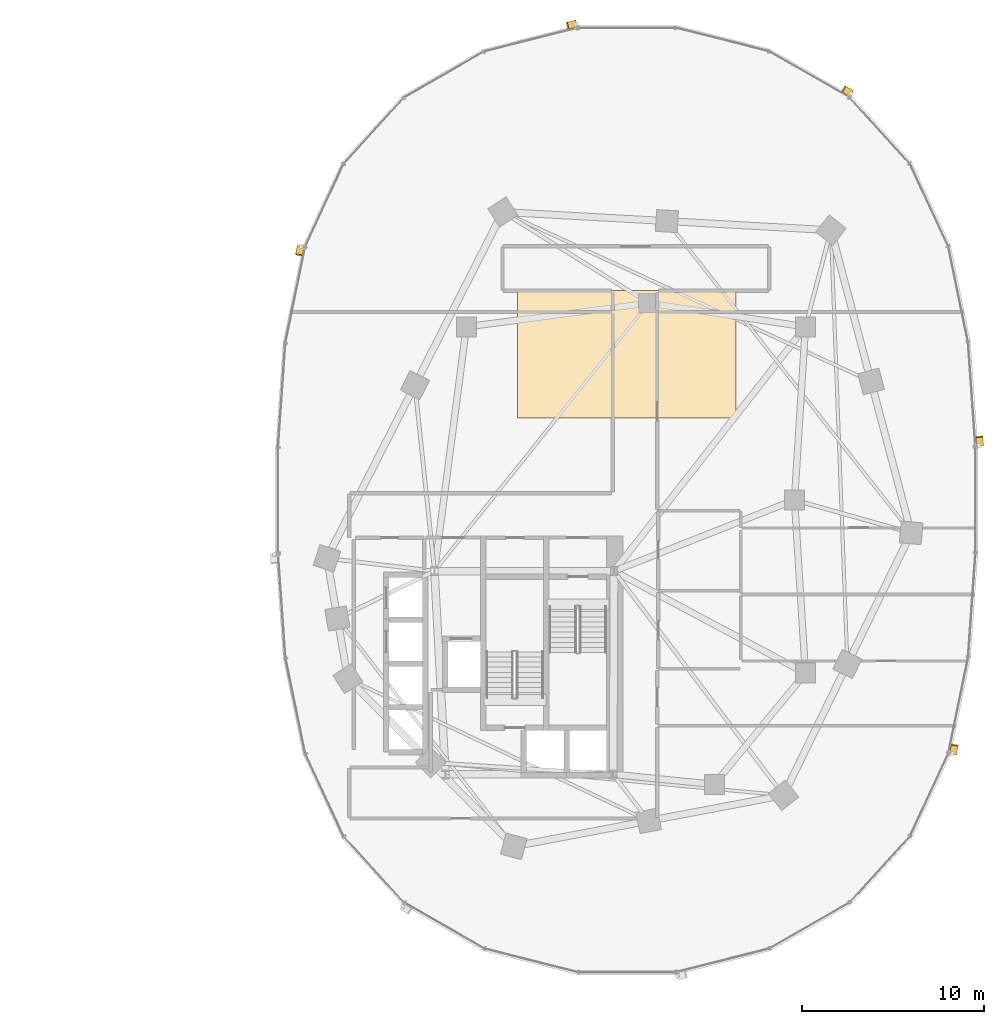
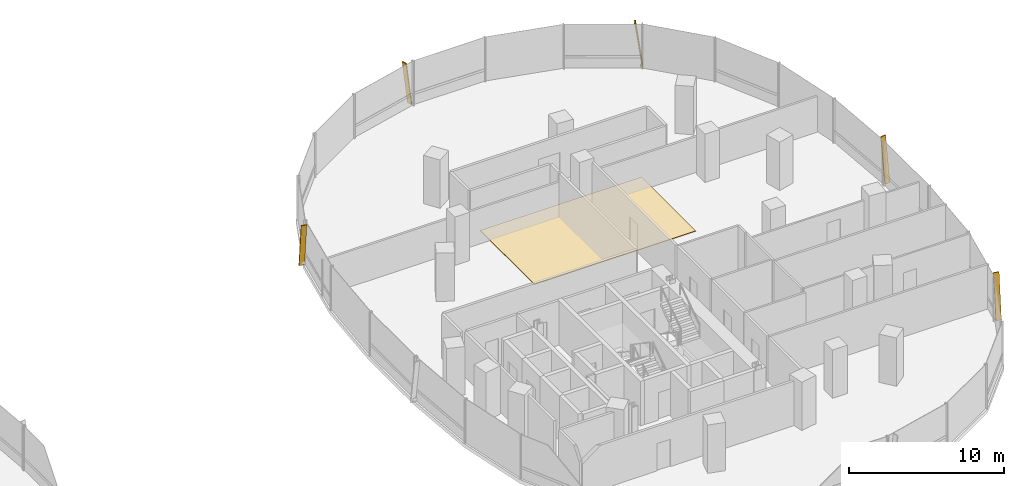
# One storey, part 21 of 21: 5 shading devices, 1 covering.
"""IFC4 building model written with IfcOpenShell, lengths in metres."""

from ifc_helpers import new_model, si_unit, direction, frame, origin, origin_2d, place, context, subcontext, project, spatial, polyline, rectangle, outline, extrude, material, layer, layer_set, material_profile, profile_set, type_object, element, save


model = new_model("IFC4")

# Units and contexts
model_context = context("Model", 3, precision=1e-05, world=origin(), true_north=direction((0.0, 1.0)))
body_context = subcontext(model_context, "Body", "Model", "MODEL_VIEW")
ifc_project = project(units=[si_unit("LENGTHUNIT", "METRE"), si_unit("AREAUNIT", "SQUARE_METRE"), si_unit("VOLUMEUNIT", "CUBIC_METRE"), si_unit("PLANEANGLEUNIT", "RADIAN"), si_unit("MASSUNIT", "GRAM", prefix="KILO"), si_unit("THERMODYNAMICTEMPERATUREUNIT", "KELVIN"), si_unit("POWERUNIT", "WATT")], contexts=[model_context])

# Site, building, storey
site_placement = place(None, origin())
site = spatial("IfcSite", under=ifc_project, at=site_placement, CompositionType="ELEMENT")
building_placement = place(site_placement, origin())
building = spatial("IfcBuilding", under=site, at=building_placement, Name="Cundina Bronze Exchange", CompositionType="ELEMENT")
storey_placement = place(building_placement, frame((0.0, 0.0, 46.800048828125)))
storey = spatial("IfcBuildingStorey", under=building, at=storey_placement, Name="L11", CompositionType="ELEMENT", Elevation=46.800048828125)

# Covering
ifc_material_1 = material(Name="Raised Access Steel-Cementitious Floor Panel 40mm", Category="steel")
ifc_layer = layer(ifc_material_1, 0.0400390625, Name="Raised Access Steel-Cementitious Floor Panel 40mm", Category="steel")
ifc_layer_set = layer_set([ifc_layer], Name="Raised Access Steel-Cementitious Floor Panel 40mm")
covering_type = type_object("IfcCoveringType", Name="COV-FLR-RAF40", PredefinedType="FLOORING", material=ifc_layer_set)
covering_placement = place(storey_placement, origin())
element("IfcCovering", 1, at=covering_placement, inside=storey, type_object=covering_type, Name="L11 E UFAD Raised Access Trading Floor", PredefinedType="FLOORING", context=body_context, shape_type="SweptSolid", body=[
    extrude(outline(polyline([(26.0, 4.5), (38.0, 4.5), (38.0, 11.5), (26.0, 11.5), (26.0, 4.5)])), origin(), (0.0, 0.0, 1.0), 0.0400390625),
])

# Shading devices
ifc_material_2 = material(Name="Anodised Bronze Aluminium 6063-T6", Category="aluminium")
ifc_material_profile = material_profile(ifc_material_2, rectangle(XDim=0.070068359375, YDim=0.3798828125, at=origin_2d()), Name="FIN70X380", Category="aluminium")
ifc_profile_set = profile_set([ifc_material_profile], Name="Anodised Bronze Aluminium 6063-T6")
shading_device_type = type_object("IfcShadingDeviceType", Name="SHD-FIN-BRZ380", PredefinedType="USERDEFINED", material=ifc_profile_set)
for number, where, z_axis, x_axis, name in (
    (2, (51.3740234375, 2.993896484375, 0.02001953125), (-0.009645159174, 0.137059109714, 0.990515911709), (0.06953288269, -0.988072340253, 0.137398066402), "L11 Diagonal Bronze Solar Fin 1"),
    (3, (44.314208984375, 22.314208984375, 0.02001953125), (-0.119166378275, 0.06842456559, 0.990513731915), (0.85898178632, -0.493221799887, 0.137413779831), "L11 Diagonal Bronze Solar Fin 5"),
    (4, (29.212646484375, 26.138427734375, 0.02001953125), (-0.133214830938, -0.033688115694, 0.990514472221), (0.960284642503, 0.242842181368, 0.137408443412), "L11 Diagonal Bronze Solar Fin 1"),
    (5, (14.10400390625, 13.911865234375, 0.02001953125), (-0.027747134956, -0.134612045151, 0.990509815096), (0.199966585563, 0.970114971774, 0.137442010309), "L11 Diagonal Bronze Solar Fin 5"),
    (6, (49.89599609375, -13.911865234375, 0.02001953125), (0.027747134956, 0.134612045151, 0.990509815096), (-0.199966585563, -0.970114971774, 0.137442010309), "L11 Diagonal Bronze Solar Fin 5"),
):
    element("IfcShadingDevice", number, at=place(storey_placement, frame(where, z_axis=z_axis, x_axis=x_axis)), inside=storey, type_object=shading_device_type, Name=name, ObjectType="FIN", PredefinedType="USERDEFINED", context=body_context, shape_type="SweptSolid", body=[
        extrude(rectangle(XDim=0.070068359375, YDim=0.3798828125, at=origin_2d()), origin(), (0.0, 0.0, 1.0), 3.4931640625),
    ])

save(model, "model.ifc")
